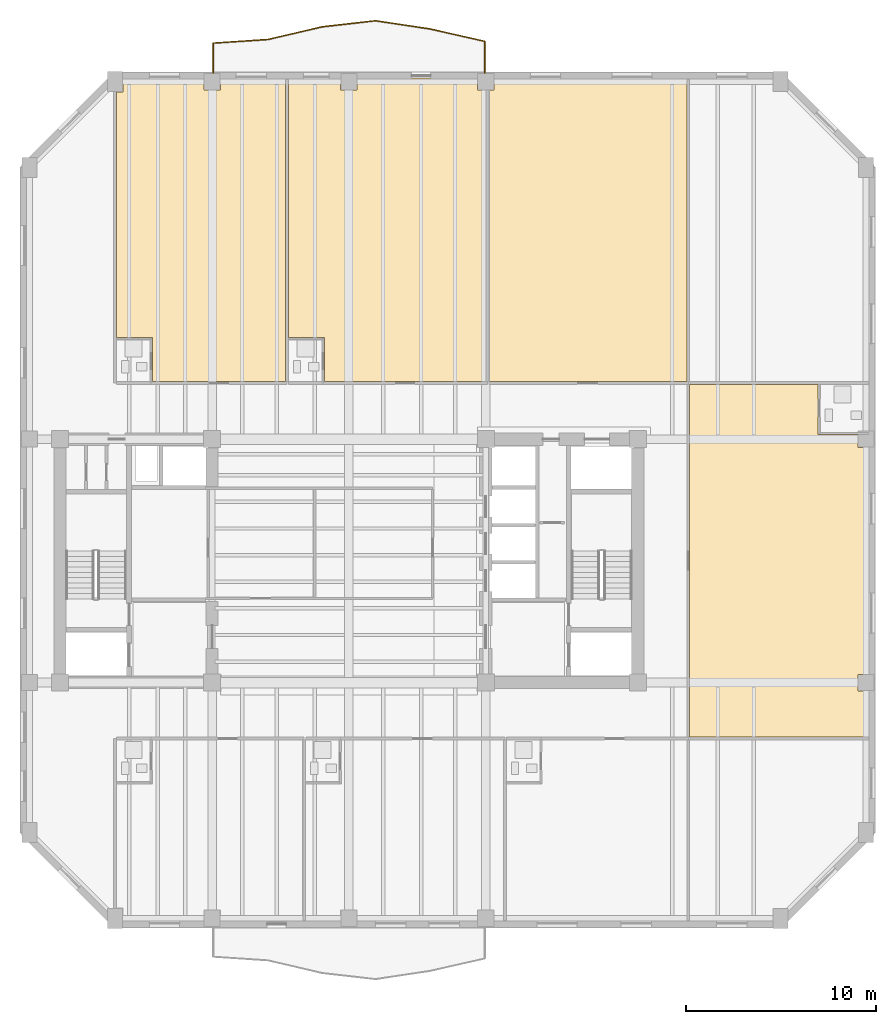
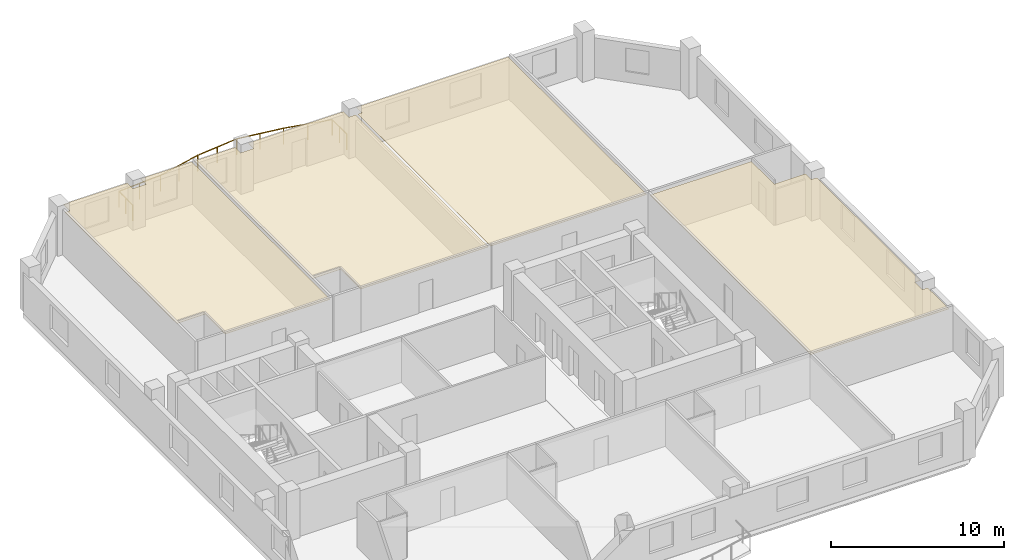
# One storey, part 8 of 9: 4 coverings, 1 railing.
"""IFC4 building model written with IfcOpenShell, lengths in metres."""

from ifc_helpers import new_model, si_unit, direction, frame, origin, origin_2d, place, context, subcontext, project, spatial, polyline, circle, outline, extrude, material, layer, layer_set, type_object, element, save


model = new_model("IFC4")

# Units and contexts
model_context = context("Model", 3, precision=1e-05, world=origin(), true_north=direction((0.0, 1.0)))
body_context = subcontext(model_context, "Body", "Model", "MODEL_VIEW")
ifc_project = project(units=[si_unit("LENGTHUNIT", "METRE"), si_unit("AREAUNIT", "SQUARE_METRE"), si_unit("VOLUMEUNIT", "CUBIC_METRE"), si_unit("PLANEANGLEUNIT", "RADIAN"), si_unit("MASSUNIT", "GRAM", prefix="KILO")], contexts=[model_context])

# Site, building, storey
site_placement = place(None, origin())
site = spatial("IfcSite", under=ifc_project, at=site_placement, CompositionType="ELEMENT")
building_placement = place(site_placement, origin())
building = spatial("IfcBuilding", under=site, at=building_placement, Name="Kranthara Brick Stack", CompositionType="ELEMENT")
storey_placement = place(building_placement, frame((0.0, 0.0, 165.800048828125)))
storey = spatial("IfcBuildingStorey", under=building, at=storey_placement, Name="L42", CompositionType="ELEMENT", Elevation=165.800048828125)

# Coverings
ifc_material_1 = material(Name="Perforated mineral-fibre acoustic ceiling tile", Category="other")
ifc_layer = layer(ifc_material_1, 0.02490234375)
ifc_layer_set = layer_set([ifc_layer], Name="Perforated mineral-fibre acoustic ceiling tile")
covering_type = type_object("IfcCoveringType", Name="COV-CEIL-ACOUSTIC", PredefinedType="CEILING", material=ifc_layer_set)
covering_1_placement = place(storey_placement, frame((0.0, 0.0, 2.929931640625)))
element("IfcCovering", 1, at=covering_1_placement, inside=storey, type_object=covering_type, Name="L42 Room L42-04 Corner Junior Suite Acoustic Ceiling", PredefinedType="CEILING", context=body_context, shape_type="SweptSolid", body=[
    extrude(outline(polyline([(24.6650390625, 36.6298828125), (17.659912109375, 36.6298828125), (17.659912109375, 38.93994140625), (15.780029296875, 38.93994140625), (15.780029296875, 51.864990234375), (16.110107421875, 51.864990234375), (16.110107421875, 52.60009765625), (20.364990234375, 52.60009765625), (20.364990234375, 51.965087890625), (21.235107421875, 51.965087890625), (21.235107421875, 52.60009765625), (24.6650390625, 52.60009765625), (24.6650390625, 36.6298828125)])), origin(), (0.0, 0.0, 1.0), 0.02490234375),
])
covering_2_placement = place(storey_placement, frame((0.0, 0.0, 2.929931640625)))
element("IfcCovering", 2, at=covering_2_placement, inside=storey, type_object=covering_type, Name="L42 Room L42-05 Corner Junior Suite Acoustic Ceiling", PredefinedType="CEILING", context=body_context, shape_type="SweptSolid", body=[
    extrude(outline(polyline([(35.217041015625, 36.6298828125), (26.705078125, 36.6298828125), (26.705078125, 38.93994140625), (24.824951171875, 38.93994140625), (24.824951171875, 52.60009765625), (27.56494140625, 52.60009765625), (27.56494140625, 51.965087890625), (28.43505859375, 51.965087890625), (28.43505859375, 52.60009765625), (34.764892578125, 52.60009765625), (34.764892578125, 51.965087890625), (35.217041015625, 51.965087890625), (35.217041015625, 36.6298828125)])), origin(), (0.0, 0.0, 1.0), 0.02490234375),
])
covering_3_placement = place(storey_placement, frame((0.0, 0.0, 2.929931640625)))
element("IfcCovering", 3, at=covering_3_placement, inside=storey, type_object=covering_type, Name="L42 L42 Guest Sky Lounge 6 Acoustic Ceiling", PredefinedType="CEILING", context=body_context, shape_type="SweptSolid", body=[
    extrude(outline(polyline([(45.77001953125, 52.60009765625), (45.77001953125, 36.6298828125), (35.376953125, 36.6298828125), (35.376953125, 51.965087890625), (35.635009765625, 51.965087890625), (35.635009765625, 52.60009765625), (45.77001953125, 52.60009765625)])), origin(), (0.0, 0.0, 1.0), 0.02490234375),
])
covering_4_placement = place(storey_placement, frame((0.0, 0.0, 2.929931640625)))
element("IfcCovering", 4, at=covering_4_placement, inside=storey, type_object=covering_type, Name="L42 Room L42-07 Corner Junior Suite Acoustic Ceiling", PredefinedType="CEILING", context=body_context, shape_type="SweptSolid", body=[
    extrude(outline(polyline([(45.919921875, 17.929931640625), (45.919921875, 36.469970703125), (52.669921875, 36.469970703125), (52.669921875, 33.840087890625), (54.764892578125, 33.840087890625), (54.764892578125, 33.1650390625), (55.1298828125, 33.1650390625), (55.1298828125, 21.235107421875), (54.764892578125, 21.235107421875), (54.764892578125, 20.364990234375), (55.1298828125, 20.364990234375), (55.1298828125, 17.929931640625), (45.919921875, 17.929931640625)])), origin(), (0.0, 0.0, 1.0), 0.02490234375),
])

# Railing
ifc_material_2 = material(Name="Bronze anodised aluminium and laminated glass balustrade", Category="aluminium")
railing_type = type_object("IfcRailingType", Name="RL-BALC-1120", PredefinedType="BALUSTRADE", material=ifc_material_2)
railing_placement = place(storey_placement, frame((20.860107421875, 52.840087890625, 0.0)))
element("IfcRailing", 5, at=railing_placement, inside=storey, type_object=railing_type, Name="L42 North Rippling Balcony Balustrade", PredefinedType="BALUSTRADE", context=body_context, shape_type="SweptSolid", body=[
    extrude(circle(Radius=0.02392578125, at=origin_2d()), frame((0.0, 0.0, 1.09619140625), z_axis=(0.0, 1.0, 0.0), x_axis=(-1.0, 0.0, 0.0)), (0.0, 0.0, 1.0), 1.590576171875),
    extrude(circle(Radius=0.02392578125, at=origin_2d()), frame((0.0, 1.590576171875, 1.09619140625), z_axis=(0.997787402959, 0.066485325426, 0.0), x_axis=(-0.066485325426, 0.997787402959, 0.0)), (0.0, 0.0, 1.0), 2.88623046875),
    extrude(circle(Radius=0.02392578125, at=origin_2d()), frame((2.8798828125, 1.782470703125, 1.09619140625), z_axis=(0.97393276205, 0.226836890753, 0.0), x_axis=(-0.226836890753, 0.97393276205, 0.0)), (0.0, 0.0, 1.0), 2.947998046875),
    extrude(circle(Radius=0.02392578125, at=origin_2d()), frame((5.7509765625, 2.451171875, 1.09619140625), z_axis=(0.993608588101, 0.112880351047, 0.0), x_axis=(-0.112880351047, 0.993608588101, 0.0)), (0.0, 0.0, 1.0), 2.80078125),
    extrude(circle(Radius=0.02392578125, at=origin_2d()), frame((8.533935546875, 2.767333984375, 1.09619140625), z_axis=(0.988978936123, -0.148056286273, 0.0), x_axis=(0.148056286273, 0.988978936123, 0.0)), (0.0, 0.0, 1.0), 2.89892578125),
    extrude(circle(Radius=0.02392578125, at=origin_2d()), frame((11.40087890625, 2.338134765625, 1.09619140625), z_axis=(0.975204294684, -0.221306537701, 0.0), x_axis=(0.221306537701, 0.975204294684, 0.0)), (0.0, 0.0, 1.0), 2.9521484375),
    extrude(circle(Radius=0.02392578125, at=origin_2d()), frame((14.27978515625, 1.684814453125, 1.09619140625), z_axis=(0.0, -1.0, 0.0), x_axis=(1.0, 0.0, 0.0)), (0.0, 0.0, 1.0), 1.684814453125),
    extrude(circle(Radius=0.02099609375, at=origin_2d()), origin(), (0.0, 0.0, 1.0), 1.072021484375),
    extrude(circle(Radius=0.02099609375, at=origin_2d()), frame((0.0, 0.79541015625, 0.0)), (0.0, 0.0, 1.0), 1.072021484375),
    extrude(circle(Radius=0.02099609375, at=origin_2d()), frame((0.0, 1.590576171875, 0.0)), (0.0, 0.0, 1.0), 1.072021484375),
    extrude(circle(Radius=0.02099609375, at=origin_2d()), frame((1.43994140625, 1.6865234375, 0.0)), (0.0, 0.0, 1.0), 1.072021484375),
    extrude(circle(Radius=0.02099609375, at=origin_2d()), frame((2.8798828125, 1.782470703125, 0.0)), (0.0, 0.0, 1.0), 1.072021484375),
    extrude(circle(Radius=0.02099609375, at=origin_2d()), frame((4.3154296875, 2.11669921875, 0.0)), (0.0, 0.0, 1.0), 1.072021484375),
    extrude(circle(Radius=0.02099609375, at=origin_2d()), frame((5.7509765625, 2.451171875, 0.0)), (0.0, 0.0, 1.0), 1.072021484375),
    extrude(circle(Radius=0.02099609375, at=origin_2d()), frame((7.142578125, 2.609375, 0.0)), (0.0, 0.0, 1.0), 1.072021484375),
    extrude(circle(Radius=0.02099609375, at=origin_2d()), frame((8.533935546875, 2.767333984375, 0.0)), (0.0, 0.0, 1.0), 1.072021484375),
    extrude(circle(Radius=0.02099609375, at=origin_2d()), frame((9.96728515625, 2.552734375, 0.0)), (0.0, 0.0, 1.0), 1.072021484375),
    extrude(circle(Radius=0.02099609375, at=origin_2d()), frame((11.40087890625, 2.338134765625, 0.0)), (0.0, 0.0, 1.0), 1.072021484375),
    extrude(circle(Radius=0.02099609375, at=origin_2d()), frame((12.84033203125, 2.011474609375, 0.0)), (0.0, 0.0, 1.0), 1.072021484375),
    extrude(circle(Radius=0.02099609375, at=origin_2d()), frame((14.27978515625, 1.684814453125, 0.0)), (0.0, 0.0, 1.0), 1.072021484375),
    extrude(circle(Radius=0.02099609375, at=origin_2d()), frame((14.27978515625, 0.84228515625, 0.0)), (0.0, 0.0, 1.0), 1.072021484375),
    extrude(circle(Radius=0.02099609375, at=origin_2d()), frame((14.27978515625, 0.0, 0.0)), (0.0, 0.0, 1.0), 1.072021484375),
])

save(model, "model.ifc")
